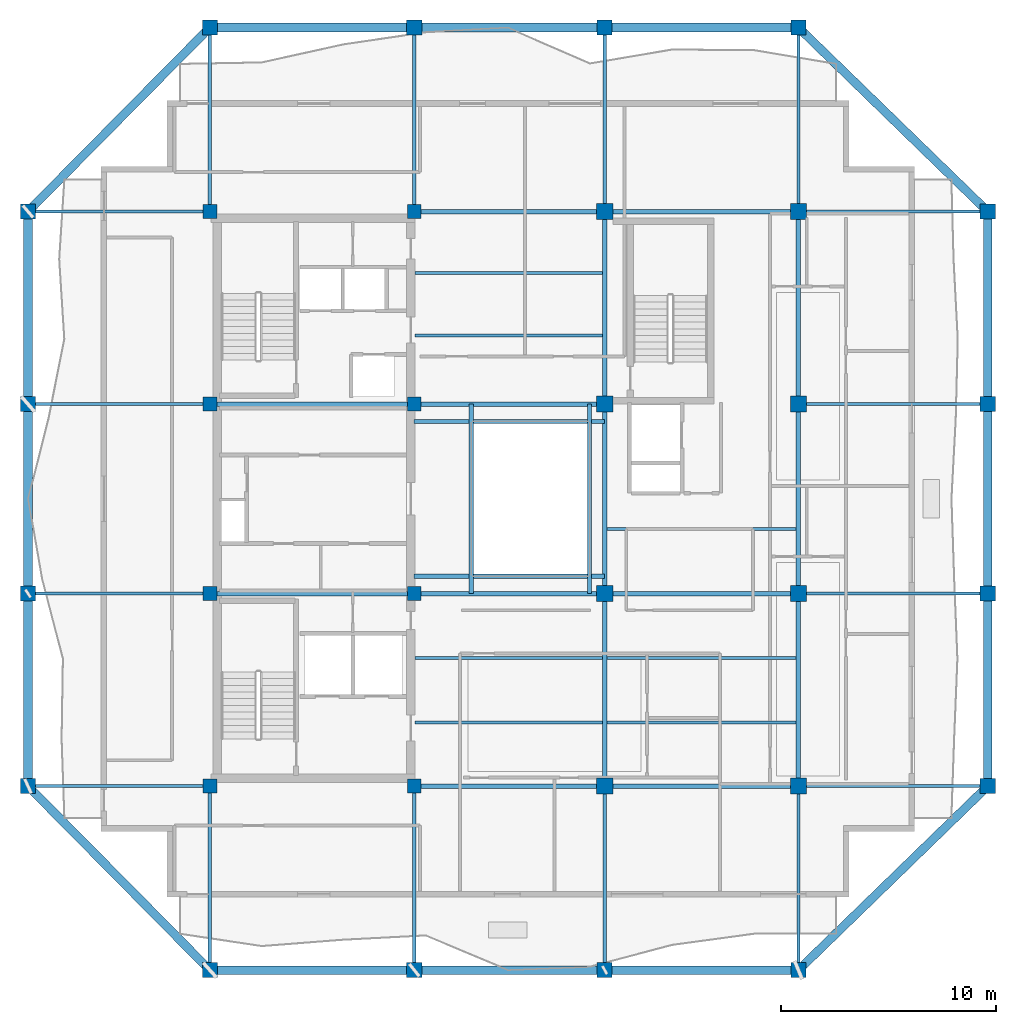
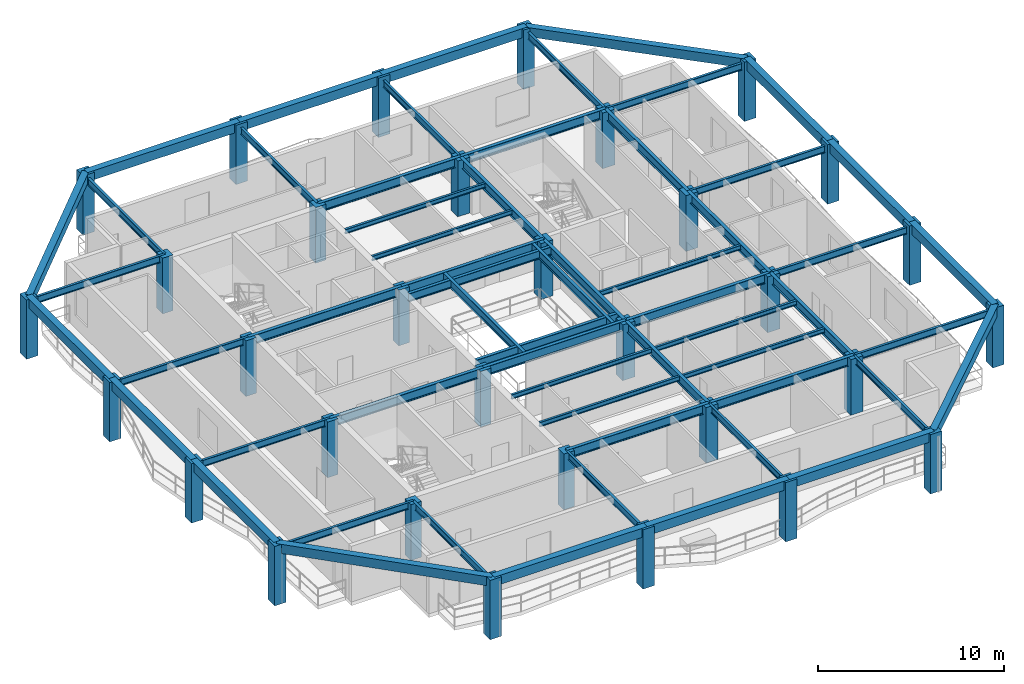
# One storey, part 1 of 10: 58 beams, 32 columns.
"""IFC4 building model written with IfcOpenShell, lengths in metres."""

from ifc_helpers import new_model, si_unit, direction, frame, origin, origin_2d, place, context, subcontext, project, spatial, rectangle, i_section, extrude, material, material_profile, profile_set, type_object, element, save


model = new_model("IFC4")

# Units and contexts
model_context = context("Model", 3, precision=1e-05, world=origin(), true_north=direction((0.0, 1.0)))
body_context = subcontext(model_context, "Body", "Model", "MODEL_VIEW")
ifc_project = project(units=[si_unit("LENGTHUNIT", "METRE"), si_unit("AREAUNIT", "SQUARE_METRE"), si_unit("VOLUMEUNIT", "CUBIC_METRE"), si_unit("PLANEANGLEUNIT", "RADIAN"), si_unit("MASSUNIT", "GRAM", prefix="KILO")], contexts=[model_context])

# Site, building, storey
site_placement = place(None, origin())
site = spatial("IfcSite", under=ifc_project, at=site_placement, CompositionType="ELEMENT")
building_placement = place(site_placement, origin())
building = spatial("IfcBuilding", under=site, at=building_placement, Name="Kundavana Baori Tower", CompositionType="ELEMENT")
storey_placement = place(building_placement, frame((0.0, 0.0, 296.0)))
storey = spatial("IfcBuildingStorey", under=building, at=storey_placement, Name="L73", CompositionType="ELEMENT", Elevation=296.0)

# Columns
ifc_material_1 = material(Name="Concrete C50/60", Category="concrete")
ifc_material_profile_1 = material_profile(ifc_material_1, rectangle(XDim=0.699951171875, YDim=0.699951171875, at=origin_2d()), Name="RC PF 700x700")
ifc_profile_set_1 = profile_set([ifc_material_profile_1], Name="Concrete C50/60")
column_type_1 = type_object("IfcColumnType", Name="COL-PF-700", PredefinedType="COLUMN", material=ifc_profile_set_1)
for number, where, z_axis, x_axis, name in (
    (1, (15.449951171875, 6.699951171875, 0.0), (0.0, 0.0, 1.0), (1.0, 0.0, 0.0), "L73 Stone-Clad Perimeter Frame Column PF-S1"),
    (2, (15.449951171875, 50.5, 0.0), (0.0, 0.0, 1.0), (1.0, 0.0, 0.0), "L73 Stone-Clad Perimeter Frame Column PF-N1"),
    (3, (24.949951171875, 6.699951171875, 0.0), (0.0, 0.0, 1.0), (1.0, 0.0, 0.0), "L73 Stone-Clad Perimeter Frame Column PF-S2"),
    (4, (24.949951171875, 50.5, 0.0), (0.0, 0.0, 1.0), (1.0, 0.0, 0.0), "L73 Stone-Clad Perimeter Frame Column PF-N2"),
    (5, (33.800048828125, 6.699951171875, 0.0), (0.0, 0.0, 1.0), (1.0, 0.0, 0.0), "L73 Stone-Clad Perimeter Frame Column PF-S3"),
    (6, (33.800048828125, 50.5, 0.0), (0.0, 0.0, 1.0), (1.0, 0.0, 0.0), "L73 Stone-Clad Perimeter Frame Column PF-N3"),
    (7, (42.800048828125, 6.699951171875, 0.0), (0.0, 0.0, 1.0), (1.0, 0.0, 0.0), "L73 Stone-Clad Perimeter Frame Column PF-S4"),
    (8, (42.800048828125, 50.5, 0.0), (0.0, 0.0, 1.0), (1.0, 0.0, 0.0), "L73 Stone-Clad Perimeter Frame Column PF-N4"),
    (9, (7.0, 15.25, 0.0), (0.0, 0.0, 1.0), (1.0, 0.0, 0.0), "L73 Stone-Clad Perimeter Frame Column PF-W1"),
    (10, (51.60009765625, 15.25, 0.0), (0.0, 0.0, 1.0), (1.0, 0.0, 0.0), "L73 Stone-Clad Perimeter Frame Column PF-E1"),
    (11, (7.0, 24.199951171875, 0.0), (0.0, 0.0, 1.0), (1.0, 0.0, 0.0), "L73 Stone-Clad Perimeter Frame Column PF-W2"),
    (12, (51.60009765625, 24.199951171875, 0.0), (0.0, 0.0, 1.0), (1.0, 0.0, 0.0), "L73 Stone-Clad Perimeter Frame Column PF-E2"),
    (13, (7.0, 33.0, 0.0), (0.0, 0.0, 1.0), (1.0, 0.0, 0.0), "L73 Stone-Clad Perimeter Frame Column PF-W3"),
    (14, (51.60009765625, 33.0, 0.0), (0.0, 0.0, 1.0), (1.0, 0.0, 0.0), "L73 Stone-Clad Perimeter Frame Column PF-E3"),
    (15, (7.0, 41.949951171875, 0.0), (0.0, 0.0, 1.0), (1.0, 0.0, 0.0), "L73 Stone-Clad Perimeter Frame Column PF-W4"),
    (16, (51.60009765625, 41.949951171875, 0.0), (0.0, 0.0, 1.0), (1.0, 0.0, 0.0), "L73 Stone-Clad Perimeter Frame Column PF-E4"),
):
    element("IfcColumn", number, at=place(storey_placement, frame(where, z_axis=z_axis, x_axis=x_axis)), inside=storey, type_object=column_type_1, Name=name, PredefinedType="COLUMN", context=body_context, shape_type="SweptSolid", body=[
        extrude(rectangle(XDim=0.699951171875, YDim=0.699951171875, at=origin_2d()), origin(), (0.0, 0.0, 1.0), 3.89990234375),
    ])
ifc_material_2 = material(Name="Concrete C50/60", Category="concrete")
ifc_material_profile_2 = material_profile(ifc_material_2, rectangle(XDim=0.64990234375, YDim=0.64990234375, at=origin_2d()), Name="RC 650x650")
ifc_profile_set_2 = profile_set([ifc_material_profile_2], Name="Concrete C50/60")
column_type_2 = type_object("IfcColumnType", Name="COL-RC-650", PredefinedType="COLUMN", material=ifc_profile_set_2)
for number, where, z_axis, x_axis, name in (
    (17, (15.449951171875, 15.25, 0.0), (0.0, 0.0, 1.0), (1.0, 0.0, 0.0), "L73 Interior Column IC-3C"),
    (18, (15.449951171875, 24.199951171875, 0.0), (0.0, 0.0, 1.0), (1.0, 0.0, 0.0), "L73 Interior Column IC-3D"),
    (19, (15.449951171875, 33.0, 0.0), (0.0, 0.0, 1.0), (1.0, 0.0, 0.0), "L73 Interior Column IC-3E"),
    (20, (15.449951171875, 41.949951171875, 0.0), (0.0, 0.0, 1.0), (1.0, 0.0, 0.0), "L73 Interior Column IC-3F"),
    (21, (24.949951171875, 15.25, 0.0), (0.0, 0.0, 1.0), (1.0, 0.0, 0.0), "L73 Interior Column IC-4C"),
    (22, (24.949951171875, 24.199951171875, 0.0), (0.0, 0.0, 1.0), (1.0, 0.0, 0.0), "L73 Interior Column IC-4D"),
    (23, (24.949951171875, 33.0, 0.0), (0.0, 0.0, 1.0), (1.0, 0.0, 0.0), "L73 Interior Column IC-4E"),
    (24, (24.949951171875, 41.949951171875, 0.0), (0.0, 0.0, 1.0), (1.0, 0.0, 0.0), "L73 Interior Column IC-4F"),
):
    element("IfcColumn", number, at=place(storey_placement, frame(where, z_axis=z_axis, x_axis=x_axis)), inside=storey, type_object=column_type_2, Name=name, PredefinedType="COLUMN", context=body_context, shape_type="SweptSolid", body=[
        extrude(rectangle(XDim=0.64990234375, YDim=0.64990234375, at=origin_2d()), origin(), (0.0, 0.0, 1.0), 3.659912109375),
    ])
ifc_material_3 = material(Name="Concrete C50/60", Category="concrete")
ifc_material_profile_3 = material_profile(ifc_material_3, rectangle(XDim=0.75, YDim=0.75, at=origin_2d()), Name="RC 750x750")
ifc_profile_set_3 = profile_set([ifc_material_profile_3], Name="Concrete C50/60")
column_type_3 = type_object("IfcColumnType", Name="COL-RC-750", PredefinedType="COLUMN", material=ifc_profile_set_3)
for number, where, z_axis, x_axis, name in (
    (25, (33.800048828125, 15.25, 0.0), (0.0, 0.0, 1.0), (1.0, 0.0, 0.0), "L73 Interior Column IC-5C"),
    (26, (33.800048828125, 24.199951171875, 0.0), (0.0, 0.0, 1.0), (1.0, 0.0, 0.0), "L73 Interior Column IC-5D"),
    (27, (33.800048828125, 33.0, 0.0), (0.0, 0.0, 1.0), (1.0, 0.0, 0.0), "L73 Interior Column IC-5E"),
    (28, (33.800048828125, 41.949951171875, 0.0), (0.0, 0.0, 1.0), (1.0, 0.0, 0.0), "L73 Interior Column IC-5F"),
    (29, (42.800048828125, 15.25, 0.0), (0.0, 0.0, 1.0), (1.0, 0.0, 0.0), "L73 Interior Column IC-6C"),
    (30, (42.800048828125, 24.199951171875, 0.0), (0.0, 0.0, 1.0), (1.0, 0.0, 0.0), "L73 Interior Column IC-6D"),
    (31, (42.800048828125, 33.0, 0.0), (0.0, 0.0, 1.0), (1.0, 0.0, 0.0), "L73 Interior Column IC-6E"),
    (32, (42.800048828125, 41.949951171875, 0.0), (0.0, 0.0, 1.0), (1.0, 0.0, 0.0), "L73 Interior Column IC-6F"),
):
    element("IfcColumn", number, at=place(storey_placement, frame(where, z_axis=z_axis, x_axis=x_axis)), inside=storey, type_object=column_type_3, Name=name, PredefinedType="COLUMN", context=body_context, shape_type="SweptSolid", body=[
        extrude(rectangle(XDim=0.75, YDim=0.75, at=origin_2d()), origin(), (0.0, 0.0, 1.0), 3.659912109375),
    ])

# Beams
ifc_material_4 = material(Name="Concrete C50/60", Category="concrete")
ifc_material_profile_4 = material_profile(ifc_material_4, rectangle(XDim=0.39990234375, YDim=0.60009765625, at=origin_2d()), Name="RC BM 400x600")
ifc_profile_set_4 = profile_set([ifc_material_profile_4], Name="Concrete C50/60")
beam_type_1 = type_object("IfcBeamType", Name="BM-PF-600", PredefinedType="SPANDREL", material=ifc_profile_set_4)
beam_1_placement = place(storey_placement, frame((15.449951171875, 6.699951171875, 3.60009765625), z_axis=(1.0, 0.0, 0.0), x_axis=(0.0, 1.0, 0.0)))
element("IfcBeam", 33, at=beam_1_placement, inside=storey, type_object=beam_type_1, Name="L73 Perimeter Frame Ring Beam S1", PredefinedType="SPANDREL", context=body_context, shape_type="SweptSolid", body=[
    extrude(rectangle(XDim=0.39990234375, YDim=0.60009765625, at=origin_2d()), origin(), (0.0, 0.0, 1.0), 9.5),
])
beam_2_placement = place(storey_placement, frame((24.949951171875, 6.699951171875, 3.60009765625), z_axis=(1.0, 0.0, 0.0), x_axis=(0.0, 1.0, 0.0)))
element("IfcBeam", 34, at=beam_2_placement, inside=storey, type_object=beam_type_1, Name="L73 Perimeter Frame Ring Beam S2", PredefinedType="SPANDREL", context=body_context, shape_type="SweptSolid", body=[
    extrude(rectangle(XDim=0.39990234375, YDim=0.60009765625, at=origin_2d()), origin(), (0.0, 0.0, 1.0), 8.85009765625),
])
beam_3_placement = place(storey_placement, frame((33.800048828125, 6.699951171875, 3.60009765625), z_axis=(1.0, 0.0, 0.0), x_axis=(0.0, 1.0, 0.0)))
element("IfcBeam", 35, at=beam_3_placement, inside=storey, type_object=beam_type_1, Name="L73 Perimeter Frame Ring Beam S3", PredefinedType="SPANDREL", context=body_context, shape_type="SweptSolid", body=[
    extrude(rectangle(XDim=0.39990234375, YDim=0.60009765625, at=origin_2d()), origin(), (0.0, 0.0, 1.0), 9.0),
])
beam_4_placement = place(storey_placement, frame((15.449951171875, 50.5, 3.60009765625), z_axis=(1.0, 0.0, 0.0), x_axis=(0.0, 1.0, 0.0)))
element("IfcBeam", 36, at=beam_4_placement, inside=storey, type_object=beam_type_1, Name="L73 Perimeter Frame Ring Beam N1", PredefinedType="SPANDREL", context=body_context, shape_type="SweptSolid", body=[
    extrude(rectangle(XDim=0.39990234375, YDim=0.60009765625, at=origin_2d()), origin(), (0.0, 0.0, 1.0), 9.5),
])
beam_5_placement = place(storey_placement, frame((24.949951171875, 50.5, 3.60009765625), z_axis=(1.0, 0.0, 0.0), x_axis=(0.0, 1.0, 0.0)))
element("IfcBeam", 37, at=beam_5_placement, inside=storey, type_object=beam_type_1, Name="L73 Perimeter Frame Ring Beam N2", PredefinedType="SPANDREL", context=body_context, shape_type="SweptSolid", body=[
    extrude(rectangle(XDim=0.39990234375, YDim=0.60009765625, at=origin_2d()), origin(), (0.0, 0.0, 1.0), 8.85009765625),
])
beam_6_placement = place(storey_placement, frame((33.800048828125, 50.5, 3.60009765625), z_axis=(1.0, 0.0, 0.0), x_axis=(0.0, 1.0, 0.0)))
element("IfcBeam", 38, at=beam_6_placement, inside=storey, type_object=beam_type_1, Name="L73 Perimeter Frame Ring Beam N3", PredefinedType="SPANDREL", context=body_context, shape_type="SweptSolid", body=[
    extrude(rectangle(XDim=0.39990234375, YDim=0.60009765625, at=origin_2d()), origin(), (0.0, 0.0, 1.0), 9.0),
])
beam_7_placement = place(storey_placement, frame((7.0, 15.25, 3.60009765625), z_axis=(0.0, 1.0, 0.0), x_axis=(-1.0, 0.0, 0.0)))
element("IfcBeam", 39, at=beam_7_placement, inside=storey, type_object=beam_type_1, Name="L73 Perimeter Frame Ring Beam W1", PredefinedType="SPANDREL", context=body_context, shape_type="SweptSolid", body=[
    extrude(rectangle(XDim=0.39990234375, YDim=0.60009765625, at=origin_2d()), origin(), (0.0, 0.0, 1.0), 8.949951171875),
])
beam_8_placement = place(storey_placement, frame((7.0, 24.199951171875, 3.60009765625), z_axis=(0.0, 1.0, 0.0), x_axis=(-1.0, 0.0, 0.0)))
element("IfcBeam", 40, at=beam_8_placement, inside=storey, type_object=beam_type_1, Name="L73 Perimeter Frame Ring Beam W2", PredefinedType="SPANDREL", context=body_context, shape_type="SweptSolid", body=[
    extrude(rectangle(XDim=0.39990234375, YDim=0.60009765625, at=origin_2d()), origin(), (0.0, 0.0, 1.0), 8.800048828125),
])
for number, where, z_axis, x_axis, name in (
    (41, (7.0, 33.0, 3.60009765625), (0.0, 1.0, 0.0), (-1.0, 0.0, 0.0), "L73 Perimeter Frame Ring Beam W3"),
    (42, (51.60009765625, 15.25, 3.60009765625), (0.0, 1.0, 0.0), (-1.0, 0.0, 0.0), "L73 Perimeter Frame Ring Beam E1"),
):
    element("IfcBeam", number, at=place(storey_placement, frame(where, z_axis=z_axis, x_axis=x_axis)), inside=storey, type_object=beam_type_1, Name=name, PredefinedType="SPANDREL", context=body_context, shape_type="SweptSolid", body=[
        extrude(rectangle(XDim=0.39990234375, YDim=0.60009765625, at=origin_2d()), origin(), (0.0, 0.0, 1.0), 8.949951171875),
    ])
beam_9_placement = place(storey_placement, frame((51.60009765625, 24.199951171875, 3.60009765625), z_axis=(0.0, 1.0, 0.0), x_axis=(-1.0, 0.0, 0.0)))
element("IfcBeam", 43, at=beam_9_placement, inside=storey, type_object=beam_type_1, Name="L73 Perimeter Frame Ring Beam E2", PredefinedType="SPANDREL", context=body_context, shape_type="SweptSolid", body=[
    extrude(rectangle(XDim=0.39990234375, YDim=0.60009765625, at=origin_2d()), origin(), (0.0, 0.0, 1.0), 8.800048828125),
])
beam_10_placement = place(storey_placement, frame((51.60009765625, 33.0, 3.60009765625), z_axis=(0.0, 1.0, 0.0), x_axis=(-1.0, 0.0, 0.0)))
element("IfcBeam", 44, at=beam_10_placement, inside=storey, type_object=beam_type_1, Name="L73 Perimeter Frame Ring Beam E3", PredefinedType="SPANDREL", context=body_context, shape_type="SweptSolid", body=[
    extrude(rectangle(XDim=0.39990234375, YDim=0.60009765625, at=origin_2d()), origin(), (0.0, 0.0, 1.0), 8.949951171875),
])
beam_11_placement = place(storey_placement, frame((15.449951171875, 6.699951171875, 3.60009765625), z_axis=(-0.702931082472, 0.711257965365, 0.0), x_axis=(-0.711257965365, -0.702931082472, 0.0)))
element("IfcBeam", 45, at=beam_11_placement, inside=storey, type_object=beam_type_1, Name="L73 Notched Corner Perimeter Beam SW", PredefinedType="SPANDREL", context=body_context, shape_type="SweptSolid", body=[
    extrude(rectangle(XDim=0.39990234375, YDim=0.60009765625, at=origin_2d()), origin(), (0.0, 0.0, 1.0), 12.02099609375),
])
beam_12_placement = place(storey_placement, frame((42.800048828125, 6.699951171875, 3.60009765625), z_axis=(0.717221130298, 0.696845643062, 0.0), x_axis=(-0.696845643062, 0.717221130298, 0.0)))
element("IfcBeam", 46, at=beam_12_placement, inside=storey, type_object=beam_type_1, Name="L73 Notched Corner Perimeter Beam SE", PredefinedType="SPANDREL", context=body_context, shape_type="SweptSolid", body=[
    extrude(rectangle(XDim=0.39990234375, YDim=0.60009765625, at=origin_2d()), origin(), (0.0, 0.0, 1.0), 12.26953125),
])
beam_13_placement = place(storey_placement, frame((15.449951171875, 50.5, 3.60009765625), z_axis=(-0.702931082472, -0.711257965365, 0.0), x_axis=(0.711257965365, -0.702931082472, 0.0)))
element("IfcBeam", 47, at=beam_13_placement, inside=storey, type_object=beam_type_1, Name="L73 Notched Corner Perimeter Beam NW", PredefinedType="SPANDREL", context=body_context, shape_type="SweptSolid", body=[
    extrude(rectangle(XDim=0.39990234375, YDim=0.60009765625, at=origin_2d()), origin(), (0.0, 0.0, 1.0), 12.02099609375),
])
beam_14_placement = place(storey_placement, frame((42.800048828125, 50.5, 3.60009765625), z_axis=(0.717221130298, -0.696845643062, 0.0), x_axis=(0.696845643062, 0.717221130298, 0.0)))
element("IfcBeam", 48, at=beam_14_placement, inside=storey, type_object=beam_type_1, Name="L73 Notched Corner Perimeter Beam NE", PredefinedType="SPANDREL", context=body_context, shape_type="SweptSolid", body=[
    extrude(rectangle(XDim=0.39990234375, YDim=0.60009765625, at=origin_2d()), origin(), (0.0, 0.0, 1.0), 12.26953125),
])
ifc_material_5 = material(Name="Structural Steel S355JR", Category="steel")
ifc_material_profile_5 = material_profile(ifc_material_5, i_section(OverallWidth=0.139892578125, OverallDepth=0.300048828125, WebThickness=0.0078125, FlangeThickness=0.01318359375, FilletRadius=0.013916015625, at=origin_2d()), Name="ISMB 300")
ifc_profile_set_5 = profile_set([ifc_material_profile_5], Name="Structural Steel S355JR")
beam_type_2 = type_object("IfcBeamType", Name="BM-RF-300", PredefinedType="BEAM", material=ifc_profile_set_5)
for number, where, z_axis, x_axis, name in (
    (49, (24.97998046875, 18.199951171875, 3.510009765625), (1.0, 0.0, 0.0), (0.0, 1.0, 0.0), "L73 Central Bay Composite Floor Joist C1"),
    (50, (24.97998046875, 21.199951171875, 3.510009765625), (1.0, 0.0, 0.0), (0.0, 1.0, 0.0), "L73 Central Bay Composite Floor Joist C2"),
    (51, (24.97998046875, 36.199951171875, 3.510009765625), (1.0, 0.0, 0.0), (0.0, 1.0, 0.0), "L73 Central Bay Composite Floor Joist C3"),
    (52, (24.97998046875, 39.10009765625, 3.510009765625), (1.0, 0.0, 0.0), (0.0, 1.0, 0.0), "L73 Central Bay Composite Floor Joist C4"),
):
    element("IfcBeam", number, at=place(storey_placement, frame(where, z_axis=z_axis, x_axis=x_axis)), inside=storey, type_object=beam_type_2, Name=name, PredefinedType="BEAM", context=body_context, shape_type="SweptSolid", body=[
        extrude(i_section(OverallWidth=0.139892578125, OverallDepth=0.300048828125, WebThickness=0.0078125, FlangeThickness=0.01318359375, FilletRadius=0.013916015625, at=origin_2d()), origin(), (0.0, 0.0, 1.0), 8.715087890625),
    ])
for number, where, z_axis, x_axis, name in (
    (53, (33.905029296875, 18.199951171875, 3.510009765625), (1.0, 0.0, 0.0), (0.0, 1.0, 0.0), "L73 East Bay Composite Floor Joist E1"),
    (54, (33.905029296875, 21.199951171875, 3.510009765625), (1.0, 0.0, 0.0), (0.0, 1.0, 0.0), "L73 East Bay Composite Floor Joist E2"),
    (55, (33.905029296875, 27.199951171875, 3.510009765625), (1.0, 0.0, 0.0), (0.0, 1.0, 0.0), "L73 East Bay Composite Floor Joist E3"),
):
    element("IfcBeam", number, at=place(storey_placement, frame(where, z_axis=z_axis, x_axis=x_axis)), inside=storey, type_object=beam_type_2, Name=name, PredefinedType="BEAM", context=body_context, shape_type="SweptSolid", body=[
        extrude(i_section(OverallWidth=0.139892578125, OverallDepth=0.300048828125, WebThickness=0.0078125, FlangeThickness=0.01318359375, FilletRadius=0.013916015625, at=origin_2d()), origin(), (0.0, 0.0, 1.0), 8.7900390625),
    ])
ifc_material_6 = material(Name="Structural Steel S355JR", Category="steel")
ifc_material_profile_6 = material_profile(ifc_material_6, i_section(OverallWidth=0.18994140625, OverallDepth=0.550048828125, WebThickness=0.01123046875, FlangeThickness=0.019287109375, FilletRadius=0.01806640625, at=origin_2d()), Name="ISMB 550")
ifc_profile_set_6 = profile_set([ifc_material_profile_6], Name="Structural Steel S355JR")
beam_type_3 = type_object("IfcBeamType", Name="BM-ST-550", PredefinedType="BEAM", material=ifc_profile_set_6)
for number, where, z_axis, x_axis, name in (
    (56, (27.60009765625, 24.199951171875, 3.385009765625), (0.0, 1.0, 0.0), (-1.0, 0.0, 0.0), "L73 Atrium West Edge Beam"),
    (57, (33.10009765625, 24.199951171875, 3.385009765625), (0.0, 1.0, 0.0), (-1.0, 0.0, 0.0), "L73 Atrium East Edge Beam"),
):
    element("IfcBeam", number, at=place(storey_placement, frame(where, z_axis=z_axis, x_axis=x_axis)), inside=storey, type_object=beam_type_3, Name=name, PredefinedType="BEAM", context=body_context, shape_type="SweptSolid", body=[
        extrude(i_section(OverallWidth=0.18994140625, OverallDepth=0.550048828125, WebThickness=0.01123046875, FlangeThickness=0.019287109375, FilletRadius=0.01806640625, at=origin_2d()), origin(), (0.0, 0.0, 1.0), 8.800048828125),
    ])
for number, where, z_axis, x_axis, name in (
    (58, (24.949951171875, 25.0, 3.385009765625), (1.0, 0.0, 0.0), (0.0, 1.0, 0.0), "L73 Atrium South Edge Beam"),
    (59, (24.949951171875, 32.199951171875, 3.385009765625), (1.0, 0.0, 0.0), (0.0, 1.0, 0.0), "L73 Atrium North Edge Beam"),
):
    element("IfcBeam", number, at=place(storey_placement, frame(where, z_axis=z_axis, x_axis=x_axis)), inside=storey, type_object=beam_type_3, Name=name, PredefinedType="BEAM", context=body_context, shape_type="SweptSolid", body=[
        extrude(i_section(OverallWidth=0.18994140625, OverallDepth=0.550048828125, WebThickness=0.01123046875, FlangeThickness=0.019287109375, FilletRadius=0.01806640625, at=origin_2d()), origin(), (0.0, 0.0, 1.0), 8.85009765625),
    ])
ifc_material_7 = material(Name="Structural Steel S355JR", Category="steel")
ifc_material_profile_7 = material_profile(ifc_material_7, i_section(OverallWidth=0.2099609375, OverallDepth=0.60009765625, WebThickness=0.011962890625, FlangeThickness=0.020751953125, FilletRadius=0.02001953125, at=origin_2d()), Name="ISMB 600")
ifc_profile_set_7 = profile_set([ifc_material_profile_7], Name="Structural Steel S355JR")
beam_type_4 = type_object("IfcBeamType", Name="BM-ST-600", PredefinedType="BEAM", material=ifc_profile_set_7)
beam_15_placement = place(storey_placement, frame((24.949951171875, 15.25, 3.360107421875), z_axis=(1.0, 0.0, 0.0), x_axis=(0.0, 1.0, 0.0)))
element("IfcBeam", 60, at=beam_15_placement, inside=storey, type_object=beam_type_4, Name="L73 Primary Grid Girder GX-1-2", PredefinedType="BEAM", context=body_context, shape_type="SweptSolid", body=[
    extrude(i_section(OverallWidth=0.2099609375, OverallDepth=0.60009765625, WebThickness=0.011962890625, FlangeThickness=0.020751953125, FilletRadius=0.02001953125, at=origin_2d()), origin(), (0.0, 0.0, 1.0), 8.85009765625),
])
beam_16_placement = place(storey_placement, frame((33.800048828125, 15.25, 3.360107421875), z_axis=(1.0, 0.0, 0.0), x_axis=(0.0, 1.0, 0.0)))
element("IfcBeam", 61, at=beam_16_placement, inside=storey, type_object=beam_type_4, Name="L73 Primary Grid Girder GX-1-3", PredefinedType="BEAM", context=body_context, shape_type="SweptSolid", body=[
    extrude(i_section(OverallWidth=0.2099609375, OverallDepth=0.60009765625, WebThickness=0.011962890625, FlangeThickness=0.020751953125, FilletRadius=0.02001953125, at=origin_2d()), origin(), (0.0, 0.0, 1.0), 9.0),
])
beam_17_placement = place(storey_placement, frame((15.449951171875, 24.199951171875, 3.360107421875), z_axis=(1.0, 0.0, 0.0), x_axis=(0.0, 1.0, 0.0)))
element("IfcBeam", 62, at=beam_17_placement, inside=storey, type_object=beam_type_4, Name="L73 Primary Grid Girder GX-2-1", PredefinedType="BEAM", context=body_context, shape_type="SweptSolid", body=[
    extrude(i_section(OverallWidth=0.2099609375, OverallDepth=0.60009765625, WebThickness=0.011962890625, FlangeThickness=0.020751953125, FilletRadius=0.02001953125, at=origin_2d()), origin(), (0.0, 0.0, 1.0), 9.5),
])
beam_18_placement = place(storey_placement, frame((24.949951171875, 24.199951171875, 3.360107421875), z_axis=(1.0, 0.0, 0.0), x_axis=(0.0, 1.0, 0.0)))
element("IfcBeam", 63, at=beam_18_placement, inside=storey, type_object=beam_type_4, Name="L73 Primary Grid Girder GX-2-2", PredefinedType="BEAM", context=body_context, shape_type="SweptSolid", body=[
    extrude(i_section(OverallWidth=0.2099609375, OverallDepth=0.60009765625, WebThickness=0.011962890625, FlangeThickness=0.020751953125, FilletRadius=0.02001953125, at=origin_2d()), origin(), (0.0, 0.0, 1.0), 8.85009765625),
])
beam_19_placement = place(storey_placement, frame((33.800048828125, 24.199951171875, 3.360107421875), z_axis=(1.0, 0.0, 0.0), x_axis=(0.0, 1.0, 0.0)))
element("IfcBeam", 64, at=beam_19_placement, inside=storey, type_object=beam_type_4, Name="L73 Primary Grid Girder GX-2-3", PredefinedType="BEAM", context=body_context, shape_type="SweptSolid", body=[
    extrude(i_section(OverallWidth=0.2099609375, OverallDepth=0.60009765625, WebThickness=0.011962890625, FlangeThickness=0.020751953125, FilletRadius=0.02001953125, at=origin_2d()), origin(), (0.0, 0.0, 1.0), 9.0),
])
beam_20_placement = place(storey_placement, frame((15.449951171875, 33.0, 3.360107421875), z_axis=(1.0, 0.0, 0.0), x_axis=(0.0, 1.0, 0.0)))
element("IfcBeam", 65, at=beam_20_placement, inside=storey, type_object=beam_type_4, Name="L73 Primary Grid Girder GX-3-1", PredefinedType="BEAM", context=body_context, shape_type="SweptSolid", body=[
    extrude(i_section(OverallWidth=0.2099609375, OverallDepth=0.60009765625, WebThickness=0.011962890625, FlangeThickness=0.020751953125, FilletRadius=0.02001953125, at=origin_2d()), origin(), (0.0, 0.0, 1.0), 9.5),
])
for number, where, z_axis, x_axis, name in (
    (66, (24.949951171875, 33.0, 3.360107421875), (1.0, 0.0, 0.0), (0.0, 1.0, 0.0), "L73 Primary Grid Girder GX-3-2"),
    (67, (24.949951171875, 41.949951171875, 3.360107421875), (1.0, 0.0, 0.0), (0.0, 1.0, 0.0), "L73 Primary Grid Girder GX-4-2"),
):
    element("IfcBeam", number, at=place(storey_placement, frame(where, z_axis=z_axis, x_axis=x_axis)), inside=storey, type_object=beam_type_4, Name=name, PredefinedType="BEAM", context=body_context, shape_type="SweptSolid", body=[
        extrude(i_section(OverallWidth=0.2099609375, OverallDepth=0.60009765625, WebThickness=0.011962890625, FlangeThickness=0.020751953125, FilletRadius=0.02001953125, at=origin_2d()), origin(), (0.0, 0.0, 1.0), 8.85009765625),
    ])
beam_21_placement = place(storey_placement, frame((33.800048828125, 41.949951171875, 3.360107421875), z_axis=(1.0, 0.0, 0.0), x_axis=(0.0, 1.0, 0.0)))
element("IfcBeam", 68, at=beam_21_placement, inside=storey, type_object=beam_type_4, Name="L73 Primary Grid Girder GX-4-3", PredefinedType="BEAM", context=body_context, shape_type="SweptSolid", body=[
    extrude(i_section(OverallWidth=0.2099609375, OverallDepth=0.60009765625, WebThickness=0.011962890625, FlangeThickness=0.020751953125, FilletRadius=0.02001953125, at=origin_2d()), origin(), (0.0, 0.0, 1.0), 9.0),
])
beam_22_placement = place(storey_placement, frame((33.800048828125, 15.25, 3.360107421875), z_axis=(0.0, 1.0, 0.0), x_axis=(-1.0, 0.0, 0.0)))
element("IfcBeam", 69, at=beam_22_placement, inside=storey, type_object=beam_type_4, Name="L73 Primary Grid Girder GY-3-1", PredefinedType="BEAM", context=body_context, shape_type="SweptSolid", body=[
    extrude(i_section(OverallWidth=0.2099609375, OverallDepth=0.60009765625, WebThickness=0.011962890625, FlangeThickness=0.020751953125, FilletRadius=0.02001953125, at=origin_2d()), origin(), (0.0, 0.0, 1.0), 8.949951171875),
])
beam_23_placement = place(storey_placement, frame((33.800048828125, 24.199951171875, 3.360107421875), z_axis=(0.0, 1.0, 0.0), x_axis=(-1.0, 0.0, 0.0)))
element("IfcBeam", 70, at=beam_23_placement, inside=storey, type_object=beam_type_4, Name="L73 Primary Grid Girder GY-3-2", PredefinedType="BEAM", context=body_context, shape_type="SweptSolid", body=[
    extrude(i_section(OverallWidth=0.2099609375, OverallDepth=0.60009765625, WebThickness=0.011962890625, FlangeThickness=0.020751953125, FilletRadius=0.02001953125, at=origin_2d()), origin(), (0.0, 0.0, 1.0), 8.800048828125),
])
for number, where, z_axis, x_axis, name in (
    (71, (33.800048828125, 33.0, 3.360107421875), (0.0, 1.0, 0.0), (-1.0, 0.0, 0.0), "L73 Primary Grid Girder GY-3-3"),
    (72, (42.800048828125, 15.25, 3.360107421875), (0.0, 1.0, 0.0), (-1.0, 0.0, 0.0), "L73 Primary Grid Girder GY-4-1"),
):
    element("IfcBeam", number, at=place(storey_placement, frame(where, z_axis=z_axis, x_axis=x_axis)), inside=storey, type_object=beam_type_4, Name=name, PredefinedType="BEAM", context=body_context, shape_type="SweptSolid", body=[
        extrude(i_section(OverallWidth=0.2099609375, OverallDepth=0.60009765625, WebThickness=0.011962890625, FlangeThickness=0.020751953125, FilletRadius=0.02001953125, at=origin_2d()), origin(), (0.0, 0.0, 1.0), 8.949951171875),
    ])
beam_24_placement = place(storey_placement, frame((42.800048828125, 24.199951171875, 3.360107421875), z_axis=(0.0, 1.0, 0.0), x_axis=(-1.0, 0.0, 0.0)))
element("IfcBeam", 73, at=beam_24_placement, inside=storey, type_object=beam_type_4, Name="L73 Primary Grid Girder GY-4-2", PredefinedType="BEAM", context=body_context, shape_type="SweptSolid", body=[
    extrude(i_section(OverallWidth=0.2099609375, OverallDepth=0.60009765625, WebThickness=0.011962890625, FlangeThickness=0.020751953125, FilletRadius=0.02001953125, at=origin_2d()), origin(), (0.0, 0.0, 1.0), 8.800048828125),
])
beam_25_placement = place(storey_placement, frame((42.800048828125, 33.0, 3.360107421875), z_axis=(0.0, 1.0, 0.0), x_axis=(-1.0, 0.0, 0.0)))
element("IfcBeam", 74, at=beam_25_placement, inside=storey, type_object=beam_type_4, Name="L73 Primary Grid Girder GY-4-3", PredefinedType="BEAM", context=body_context, shape_type="SweptSolid", body=[
    extrude(i_section(OverallWidth=0.2099609375, OverallDepth=0.60009765625, WebThickness=0.011962890625, FlangeThickness=0.020751953125, FilletRadius=0.02001953125, at=origin_2d()), origin(), (0.0, 0.0, 1.0), 8.949951171875),
])
ifc_material_8 = material(Name="Structural Steel S355JR", Category="steel")
ifc_material_profile_8 = material_profile(ifc_material_8, i_section(OverallWidth=0.14990234375, OverallDepth=0.449951171875, WebThickness=0.009521484375, FlangeThickness=0.017333984375, FilletRadius=0.014892578125, at=origin_2d()), Name="ISMB 450")
ifc_profile_set_8 = profile_set([ifc_material_profile_8], Name="Structural Steel S355JR")
beam_type_5 = type_object("IfcBeamType", Name="BM-TIE-450", PredefinedType="BEAM", material=ifc_profile_set_8)
for number, where, z_axis, x_axis, name in (
    (75, (15.449951171875, 15.25, 3.43505859375), (0.0, -1.0, 0.0), (1.0, 0.0, 0.0), "L73 South Radial Loggia Tie Beam S1"),
    (76, (15.449951171875, 41.949951171875, 3.43505859375), (0.0, 1.0, 0.0), (-1.0, 0.0, 0.0), "L73 North Radial Loggia Tie Beam N1"),
    (77, (24.949951171875, 15.25, 3.43505859375), (0.0, -1.0, 0.0), (1.0, 0.0, 0.0), "L73 South Radial Loggia Tie Beam S2"),
    (78, (24.949951171875, 41.949951171875, 3.43505859375), (0.0, 1.0, 0.0), (-1.0, 0.0, 0.0), "L73 North Radial Loggia Tie Beam N2"),
    (79, (33.800048828125, 15.25, 3.43505859375), (0.0, -1.0, 0.0), (1.0, 0.0, 0.0), "L73 South Radial Loggia Tie Beam S3"),
    (80, (33.800048828125, 41.949951171875, 3.43505859375), (0.0, 1.0, 0.0), (-1.0, 0.0, 0.0), "L73 North Radial Loggia Tie Beam N3"),
    (81, (42.800048828125, 15.25, 3.43505859375), (0.0, -1.0, 0.0), (1.0, 0.0, 0.0), "L73 South Radial Loggia Tie Beam S4"),
    (82, (42.800048828125, 41.949951171875, 3.43505859375), (0.0, 1.0, 0.0), (-1.0, 0.0, 0.0), "L73 North Radial Loggia Tie Beam N4"),
):
    element("IfcBeam", number, at=place(storey_placement, frame(where, z_axis=z_axis, x_axis=x_axis)), inside=storey, type_object=beam_type_5, Name=name, PredefinedType="BEAM", context=body_context, shape_type="SweptSolid", body=[
        extrude(i_section(OverallWidth=0.14990234375, OverallDepth=0.449951171875, WebThickness=0.009521484375, FlangeThickness=0.017333984375, FilletRadius=0.014892578125, at=origin_2d()), origin(), (0.0, 0.0, 1.0), 8.550048828125),
    ])
beam_26_placement = place(storey_placement, frame((15.449951171875, 15.25, 3.43505859375), z_axis=(-1.0, 0.0, 0.0), x_axis=(0.0, -1.0, 0.0)))
element("IfcBeam", 83, at=beam_26_placement, inside=storey, type_object=beam_type_5, Name="L73 West Radial Loggia Tie Beam W1", PredefinedType="BEAM", context=body_context, shape_type="SweptSolid", body=[
    extrude(i_section(OverallWidth=0.14990234375, OverallDepth=0.449951171875, WebThickness=0.009521484375, FlangeThickness=0.017333984375, FilletRadius=0.014892578125, at=origin_2d()), origin(), (0.0, 0.0, 1.0), 8.449951171875),
])
beam_27_placement = place(storey_placement, frame((42.800048828125, 15.25, 3.43505859375), z_axis=(1.0, 0.0, 0.0), x_axis=(0.0, 1.0, 0.0)))
element("IfcBeam", 84, at=beam_27_placement, inside=storey, type_object=beam_type_5, Name="L73 East Radial Loggia Tie Beam E1", PredefinedType="BEAM", context=body_context, shape_type="SweptSolid", body=[
    extrude(i_section(OverallWidth=0.14990234375, OverallDepth=0.449951171875, WebThickness=0.009521484375, FlangeThickness=0.017333984375, FilletRadius=0.014892578125, at=origin_2d()), origin(), (0.0, 0.0, 1.0), 8.800048828125),
])
beam_28_placement = place(storey_placement, frame((15.449951171875, 24.199951171875, 3.43505859375), z_axis=(-1.0, 0.0, 0.0), x_axis=(0.0, -1.0, 0.0)))
element("IfcBeam", 85, at=beam_28_placement, inside=storey, type_object=beam_type_5, Name="L73 West Radial Loggia Tie Beam W2", PredefinedType="BEAM", context=body_context, shape_type="SweptSolid", body=[
    extrude(i_section(OverallWidth=0.14990234375, OverallDepth=0.449951171875, WebThickness=0.009521484375, FlangeThickness=0.017333984375, FilletRadius=0.014892578125, at=origin_2d()), origin(), (0.0, 0.0, 1.0), 8.449951171875),
])
beam_29_placement = place(storey_placement, frame((42.800048828125, 24.199951171875, 3.43505859375), z_axis=(1.0, 0.0, 0.0), x_axis=(0.0, 1.0, 0.0)))
element("IfcBeam", 86, at=beam_29_placement, inside=storey, type_object=beam_type_5, Name="L73 East Radial Loggia Tie Beam E2", PredefinedType="BEAM", context=body_context, shape_type="SweptSolid", body=[
    extrude(i_section(OverallWidth=0.14990234375, OverallDepth=0.449951171875, WebThickness=0.009521484375, FlangeThickness=0.017333984375, FilletRadius=0.014892578125, at=origin_2d()), origin(), (0.0, 0.0, 1.0), 8.800048828125),
])
beam_30_placement = place(storey_placement, frame((15.449951171875, 33.0, 3.43505859375), z_axis=(-1.0, 0.0, 0.0), x_axis=(0.0, -1.0, 0.0)))
element("IfcBeam", 87, at=beam_30_placement, inside=storey, type_object=beam_type_5, Name="L73 West Radial Loggia Tie Beam W3", PredefinedType="BEAM", context=body_context, shape_type="SweptSolid", body=[
    extrude(i_section(OverallWidth=0.14990234375, OverallDepth=0.449951171875, WebThickness=0.009521484375, FlangeThickness=0.017333984375, FilletRadius=0.014892578125, at=origin_2d()), origin(), (0.0, 0.0, 1.0), 8.449951171875),
])
beam_31_placement = place(storey_placement, frame((42.800048828125, 33.0, 3.43505859375), z_axis=(1.0, 0.0, 0.0), x_axis=(0.0, 1.0, 0.0)))
element("IfcBeam", 88, at=beam_31_placement, inside=storey, type_object=beam_type_5, Name="L73 East Radial Loggia Tie Beam E3", PredefinedType="BEAM", context=body_context, shape_type="SweptSolid", body=[
    extrude(i_section(OverallWidth=0.14990234375, OverallDepth=0.449951171875, WebThickness=0.009521484375, FlangeThickness=0.017333984375, FilletRadius=0.014892578125, at=origin_2d()), origin(), (0.0, 0.0, 1.0), 8.800048828125),
])
beam_32_placement = place(storey_placement, frame((15.449951171875, 41.949951171875, 3.43505859375), z_axis=(-1.0, 0.0, 0.0), x_axis=(0.0, -1.0, 0.0)))
element("IfcBeam", 89, at=beam_32_placement, inside=storey, type_object=beam_type_5, Name="L73 West Radial Loggia Tie Beam W4", PredefinedType="BEAM", context=body_context, shape_type="SweptSolid", body=[
    extrude(i_section(OverallWidth=0.14990234375, OverallDepth=0.449951171875, WebThickness=0.009521484375, FlangeThickness=0.017333984375, FilletRadius=0.014892578125, at=origin_2d()), origin(), (0.0, 0.0, 1.0), 8.449951171875),
])
beam_33_placement = place(storey_placement, frame((42.800048828125, 41.949951171875, 3.43505859375), z_axis=(1.0, 0.0, 0.0), x_axis=(0.0, 1.0, 0.0)))
element("IfcBeam", 90, at=beam_33_placement, inside=storey, type_object=beam_type_5, Name="L73 East Radial Loggia Tie Beam E4", PredefinedType="BEAM", context=body_context, shape_type="SweptSolid", body=[
    extrude(i_section(OverallWidth=0.14990234375, OverallDepth=0.449951171875, WebThickness=0.009521484375, FlangeThickness=0.017333984375, FilletRadius=0.014892578125, at=origin_2d()), origin(), (0.0, 0.0, 1.0), 8.800048828125),
])

save(model, "model.ifc")
